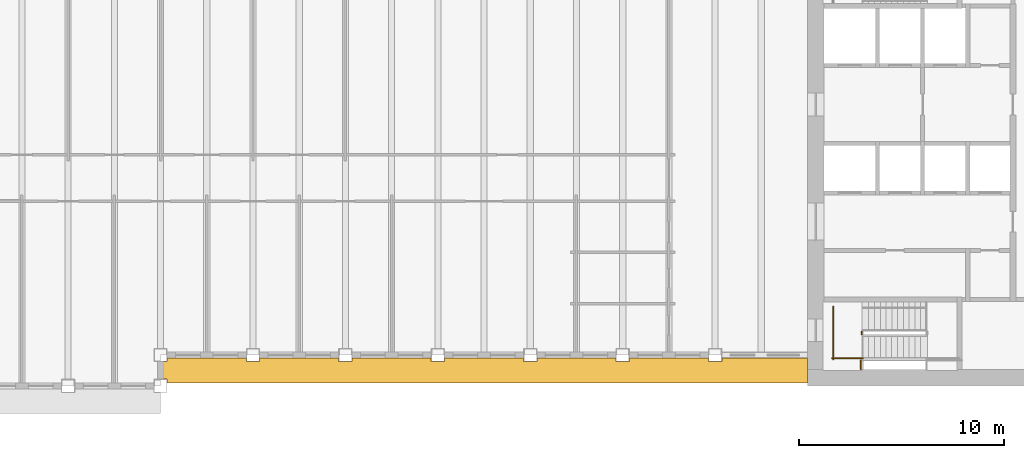
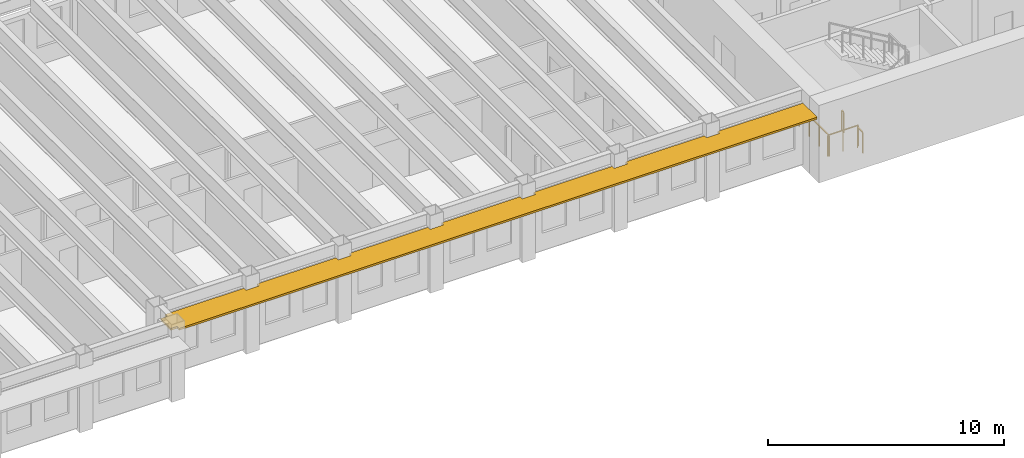
# One storey, part 9 of 12: 4 railings, 1 shading device.
"""IFC4 building model written with IfcOpenShell, lengths in metres."""

from ifc_helpers import new_model, si_unit, direction, frame, origin, origin_2d, place, context, subcontext, project, spatial, polyline, rectangle, outline, extrude, material, layer, layer_set, type_object, element, save


model = new_model("IFC4")

# Units and contexts
model_context = context("Model", 3, precision=1e-05, world=origin(), true_north=direction((0.0, 1.0)))
body_context = subcontext(model_context, "Body", "Model", "MODEL_VIEW")
ifc_project = project(units=[si_unit("LENGTHUNIT", "METRE"), si_unit("AREAUNIT", "SQUARE_METRE"), si_unit("VOLUMEUNIT", "CUBIC_METRE"), si_unit("PLANEANGLEUNIT", "RADIAN"), si_unit("MASSUNIT", "GRAM", prefix="KILO")], contexts=[model_context])

# Site, building, storey
site_placement = place(None, origin())
site = spatial("IfcSite", under=ifc_project, at=site_placement, CompositionType="ELEMENT")
building_placement = place(site_placement, origin())
building = spatial("IfcBuilding", under=site, at=building_placement, Name="Sennacour Bend Tower", CompositionType="ELEMENT")
storey_placement = place(building_placement, frame((0.0, 0.0, 289.0)))
storey = spatial("IfcBuildingStorey", under=building, at=storey_placement, Name="L67", CompositionType="ELEMENT", Elevation=289.0)

# Railings
ifc_material_1 = material(Name="Stainless steel", Category="steel")
railing_type = type_object("IfcRailingType", Name="RL-GUARD-1100", PredefinedType="GUARDRAIL", material=ifc_material_1)
railing_1_placement = place(storey_placement, frame((56.64990234375, 2.5, 0.0)))
element("IfcRailing", 1, at=railing_1_placement, inside=storey, type_object=railing_type, Name="L67 SA1 stair guard 5", PredefinedType="GUARDRAIL", context=body_context, shape_type="SweptSolid", body=[
    extrude(rectangle(XDim=0.048095703125, YDim=0.048095703125, at=origin_2d()), frame((0.0, 0.0, 1.076171875), z_axis=(0.0, 1.0, 0.0), x_axis=(-1.0, 0.0, 0.0)), (0.0, 0.0, 1.0), 0.14990234375),
    extrude(rectangle(XDim=0.0419921875, YDim=0.0419921875, at=origin_2d()), origin(), (0.0, 0.0, 1.0), 1.052001953125),
    extrude(rectangle(XDim=0.0419921875, YDim=0.0419921875, at=origin_2d()), frame((0.0, 0.14990234375, 0.0)), (0.0, 0.0, 1.0), 1.052001953125),
])
railing_2_placement = place(storey_placement, frame((55.199951171875, 1.35009765625, 0.0)))
element("IfcRailing", 2, at=railing_2_placement, inside=storey, type_object=railing_type, Name="L67 SA1 stair guard 6", PredefinedType="GUARDRAIL", context=body_context, shape_type="SweptSolid", body=[
    extrude(rectangle(XDim=0.048095703125, YDim=0.048095703125, at=origin_2d()), frame((0.0, 0.0, 1.076171875), z_axis=(1.0, 0.0, 0.0), x_axis=(0.0, 1.0, 0.0)), (0.0, 0.0, 1.0), 1.5),
    extrude(rectangle(XDim=0.0419921875, YDim=0.0419921875, at=origin_2d()), origin(), (0.0, 0.0, 1.0), 1.052001953125),
    extrude(rectangle(XDim=0.0419921875, YDim=0.0419921875, at=origin_2d()), frame((0.75, 0.0, 0.0)), (0.0, 0.0, 1.0), 1.052001953125),
    extrude(rectangle(XDim=0.0419921875, YDim=0.0419921875, at=origin_2d()), frame((1.5, 0.0, 0.0)), (0.0, 0.0, 1.0), 1.052001953125),
])
railing_3_placement = place(storey_placement, frame((55.25, 1.300048828125, 0.0)))
element("IfcRailing", 3, at=railing_3_placement, inside=storey, type_object=railing_type, Name="L67 SA1 stair guard 7", PredefinedType="GUARDRAIL", context=body_context, shape_type="SweptSolid", body=[
    extrude(rectangle(XDim=0.048095703125, YDim=0.048095703125, at=origin_2d()), frame((0.0, 0.0, 1.076171875), z_axis=(0.0, 1.0, 0.0), x_axis=(-1.0, 0.0, 0.0)), (0.0, 0.0, 1.0), 2.550048828125),
    extrude(rectangle(XDim=0.0419921875, YDim=0.0419921875, at=origin_2d()), origin(), (0.0, 0.0, 1.0), 1.052001953125),
    extrude(rectangle(XDim=0.0419921875, YDim=0.0419921875, at=origin_2d()), frame((0.0, 0.85009765625, 0.0)), (0.0, 0.0, 1.0), 1.052001953125),
    extrude(rectangle(XDim=0.0419921875, YDim=0.0419921875, at=origin_2d()), frame((0.0, 1.699951171875, 0.0)), (0.0, 0.0, 1.0), 1.052001953125),
    extrude(rectangle(XDim=0.0419921875, YDim=0.0419921875, at=origin_2d()), frame((0.0, 2.550048828125, 0.0)), (0.0, 0.0, 1.0), 1.052001953125),
])
railing_4_placement = place(storey_placement, frame((56.60009765625, 1.25, 0.0)))
element("IfcRailing", 4, at=railing_4_placement, inside=storey, type_object=railing_type, Name="L67 SA1 landing edge guard 154", PredefinedType="GUARDRAIL", context=body_context, shape_type="SweptSolid", body=[
    extrude(rectangle(XDim=0.048095703125, YDim=0.048095703125, at=origin_2d()), frame((0.0, 0.0, 1.076171875), z_axis=(0.0, -1.0, 0.0), x_axis=(1.0, 0.0, 0.0)), (0.0, 0.0, 1.0), 0.449951171875),
    extrude(rectangle(XDim=0.0419921875, YDim=0.0419921875, at=origin_2d()), origin(), (0.0, 0.0, 1.0), 1.052001953125),
    extrude(rectangle(XDim=0.0419921875, YDim=0.0419921875, at=origin_2d()), frame((0.0, -0.449951171875, 0.0)), (0.0, 0.0, 1.0), 1.052001953125),
])

# Shading device
ifc_material_2 = material(Name="Bronze anodised aluminium", Category="aluminium")
ifc_layer = layer(ifc_material_2, 0.10009765625, Name="Bronze anodised aluminium", Category="aluminium")
ifc_layer_set = layer_set([ifc_layer], Name="Bronze anodised aluminium")
shading_device_type = type_object("IfcShadingDeviceType", Name="SUNSHADE BAND STRAIGHT", PredefinedType="USERDEFINED", material=ifc_layer_set)
shading_device_placement = place(storey_placement, frame((0.0, 0.0, 3.06201171875)))
element("IfcShadingDevice", 5, at=shading_device_placement, inside=storey, type_object=shading_device_type, Name="Sunshade band L67 A outer face", ObjectType="SUNSHADE", PredefinedType="USERDEFINED", context=body_context, shape_type="SweptSolid", body=[
    extrude(outline(polyline([(26.675048828125, 1.35009765625), (26.675048828125, 1.175048828125), (27.324951171875, 1.175048828125), (27.324951171875, 1.35009765625), (31.175048828125, 1.35009765625), (31.175048828125, 1.175048828125), (31.824951171875, 1.175048828125), (31.824951171875, 1.35009765625), (35.675048828125, 1.35009765625), (35.675048828125, 1.175048828125), (36.324951171875, 1.175048828125), (36.324951171875, 1.35009765625), (40.175048828125, 1.35009765625), (40.175048828125, 1.175048828125), (40.824951171875, 1.175048828125), (40.824951171875, 1.35009765625), (44.675048828125, 1.35009765625), (44.675048828125, 1.175048828125), (45.324951171875, 1.175048828125), (45.324951171875, 1.35009765625), (49.175048828125, 1.35009765625), (49.175048828125, 1.175048828125), (49.824951171875, 1.175048828125), (49.824951171875, 1.35009765625), (54.0, 1.35009765625), (54.0, 0.14990234375), (22.824951171875, 0.14990234375), (22.824951171875, 0.324951171875), (22.5, 0.324951171875), (22.5, 1.175048828125), (22.824951171875, 1.175048828125), (22.824951171875, 1.35009765625), (26.675048828125, 1.35009765625)])), origin(), (0.0, 0.0, 1.0), 0.10009765625),
])

save(model, "model.ifc")
